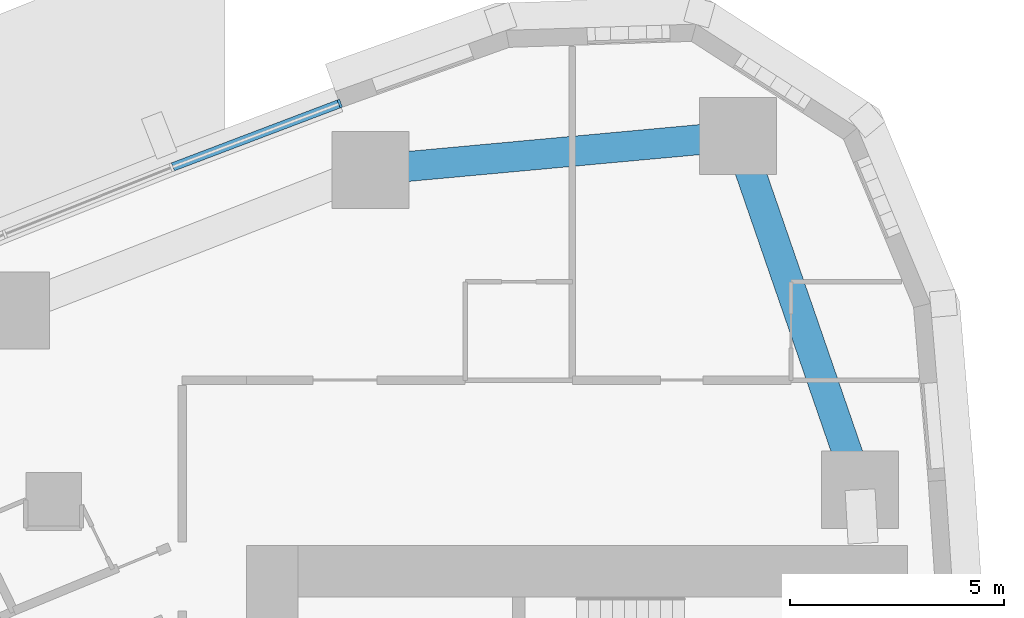
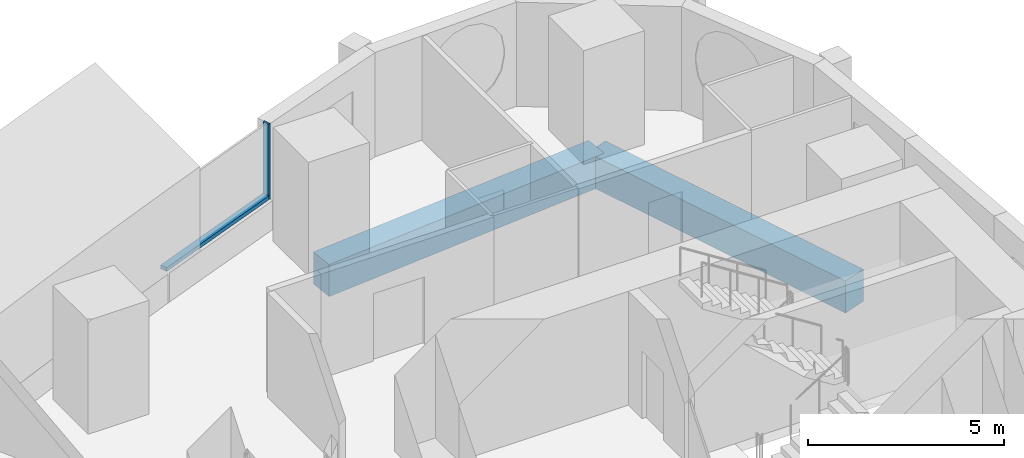
# One storey, part 7 of 19: 2 beams, 2 members, 1 element without a shape of its own.
"""IFC4 building model written with IfcOpenShell, lengths in metres."""

from ifc_helpers import new_model, si_unit, direction, frame, origin, origin_2d, place, context, subcontext, project, spatial, rectangle, extrude, material, layer, layer_set, material_profile, profile_set, type_object, element, aggregate, save


model = new_model("IFC4")

# Units and contexts
model_context = context("Model", 3, precision=1e-05, world=origin(), true_north=direction((0.0, 1.0)))
body_context = subcontext(model_context, "Body", "Model", "MODEL_VIEW")
ifc_project = project(units=[si_unit("LENGTHUNIT", "METRE"), si_unit("AREAUNIT", "SQUARE_METRE"), si_unit("VOLUMEUNIT", "CUBIC_METRE"), si_unit("PLANEANGLEUNIT", "RADIAN"), si_unit("MASSUNIT", "GRAM", prefix="KILO")], contexts=[model_context])

# Site, building, storey
site_placement = place(None, origin())
site = spatial("IfcSite", under=ifc_project, at=site_placement, CompositionType="ELEMENT")
building_placement = place(site_placement, origin())
building = spatial("IfcBuilding", under=site, at=building_placement, Name="Ostrand Prow Hotel Tower", CompositionType="ELEMENT")
storey_placement = place(building_placement, frame((0.0, 0.0, 64.449951171875)))
storey = spatial("IfcBuildingStorey", under=building, at=storey_placement, Name="L14", CompositionType="ELEMENT", Elevation=64.449951171875)

# Beams
ifc_material_1 = material(Name="Concrete C80/95", Category="concrete")
ifc_material_profile_1 = material_profile(ifc_material_1, rectangle(XDim=0.699951171875, YDim=1.0, at=origin_2d()), Name="RC 700x1000")
ifc_profile_set_1 = profile_set([ifc_material_profile_1], Name="Concrete C80/95")
beam_type = type_object("IfcBeamType", Name="Edge beam 700x1000 C80/95", PredefinedType="SPANDREL", material=ifc_profile_set_1)
beam_1_placement = place(storey_placement, frame((63.8134765625, 18.248779296875, -0.800048828125), z_axis=(-0.326263961413, 0.945278703602, 0.0), x_axis=(-0.945278703602, -0.326263961413, 0.0)))
element("IfcBeam", 1, at=beam_1_placement, inside=storey, type_object=beam_type, Name="Edge beam B5-NE", PredefinedType="SPANDREL", context=body_context, shape_type="SweptSolid", body=[
    extrude(rectangle(XDim=0.699951171875, YDim=1.0, at=origin_2d()), origin(), (0.0, 0.0, 1.0), 8.727294921875),
])
beam_2_placement = place(storey_placement, frame((60.966064453125, 26.49853515625, -0.800048828125), z_axis=(-0.995800189514, -0.091553167961, 0.0), x_axis=(0.091553167961, -0.995800189514, 0.0)))
element("IfcBeam", 2, at=beam_2_placement, inside=storey, type_object=beam_type, Name="Edge beam NE-N1", PredefinedType="SPANDREL", context=body_context, shape_type="SweptSolid", body=[
    extrude(rectangle(XDim=0.699951171875, YDim=1.0, at=origin_2d()), origin(), (0.0, 0.0, 1.0), 8.610595703125),
])

# Curtain wall, members
ifc_material_2 = material(Name="Insulated glass in bronze anodised frame", Category="glass")
ifc_layer = layer(ifc_material_2, 0.199951171875)
ifc_layer_set = layer_set([ifc_layer], Name="Insulated glass in bronze anodised frame")
curtain_wall_type = type_object("IfcCurtainWallType", Name="Strip curtain wall, fritted glass over bronze spandrel", PredefinedType="NOTDEFINED", material=ifc_layer_set)
curtain_wall_placement = place(storey_placement, origin())
curtain_wall = element("IfcCurtainWall", 3, at=curtain_wall_placement, inside=storey, type_object=curtain_wall_type, Name="CW1 run CWN1", PredefinedType="NOTDEFINED")
ifc_material_3 = material(Name="Bronze anodised aluminium", Category="aluminium")
ifc_material_profile_2 = material_profile(ifc_material_3, rectangle(XDim=0.199951171875, YDim=0.06005859375, at=origin_2d()), Name="Mullion 60x200 bronze anodised aluminium")
ifc_profile_set_2 = profile_set([ifc_material_profile_2], Name="Bronze anodised aluminium")
member_type_1 = type_object("IfcMemberType", Name="Mullion 60x200 bronze anodised aluminium", PredefinedType="MULLION", material=ifc_profile_set_2)
member_1_placement = place(storey_placement, frame((51.674560546875, 27.2578125, 0.900146484375), z_axis=(0.0, 0.0, 1.0), x_axis=(0.354728407072, -0.934969388384, 0.0)))
member_1 = element("IfcMember", 4, at=member_1_placement, type_object=member_type_1, Name="CW1 mullion 1", PredefinedType="MULLION", context=body_context, shape_type="SweptSolid", body=[
    extrude(rectangle(XDim=0.199951171875, YDim=0.06005859375, at=origin_2d()), origin(), (0.0, 0.0, 1.0), 2.349853515625),
])
ifc_material_4 = material(Name="Bronze anodised aluminium", Category="aluminium")
ifc_material_profile_3 = material_profile(ifc_material_4, rectangle(XDim=0.199951171875, YDim=0.1201171875, at=origin_2d()), Name="Transom 120x200 bronze anodised aluminium")
ifc_profile_set_3 = profile_set([ifc_material_profile_3], Name="Bronze anodised aluminium")
member_type_2 = type_object("IfcMemberType", Name="Transom 120x200 bronze anodised aluminium", PredefinedType="USERDEFINED", material=ifc_profile_set_3)
member_2_placement = place(storey_placement, frame((51.646484375, 27.2470703125, 0.9599609375), z_axis=(-0.93497051437, -0.354725439261, 0.0), x_axis=(0.354725439261, -0.93497051437, 0.0)))
member_2 = element("IfcMember", 5, at=member_2_placement, type_object=member_type_2, Name="CW1 transom 1.1", ObjectType="TRANSOM", PredefinedType="USERDEFINED", context=body_context, shape_type="SweptSolid", body=[
    extrude(rectangle(XDim=0.199951171875, YDim=0.1201171875, at=origin_2d()), origin(), (0.0, 0.0, 1.0), 4.13427734375),
])
aggregate(curtain_wall, [member_1, member_2])

save(model, "model.ifc")
